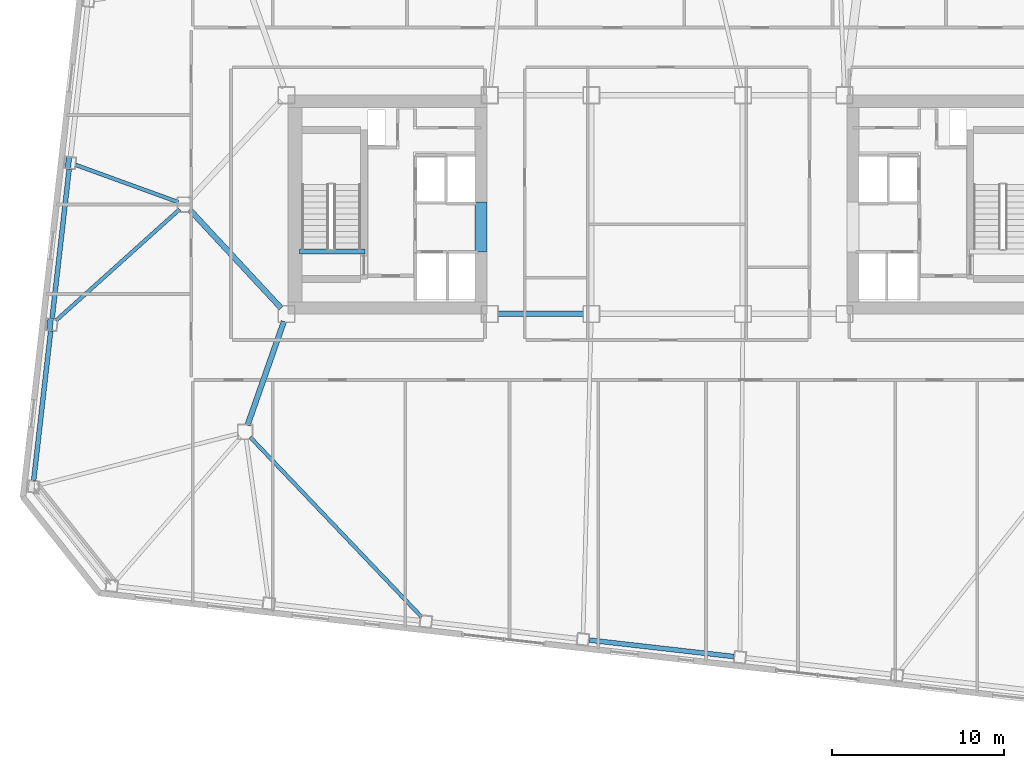
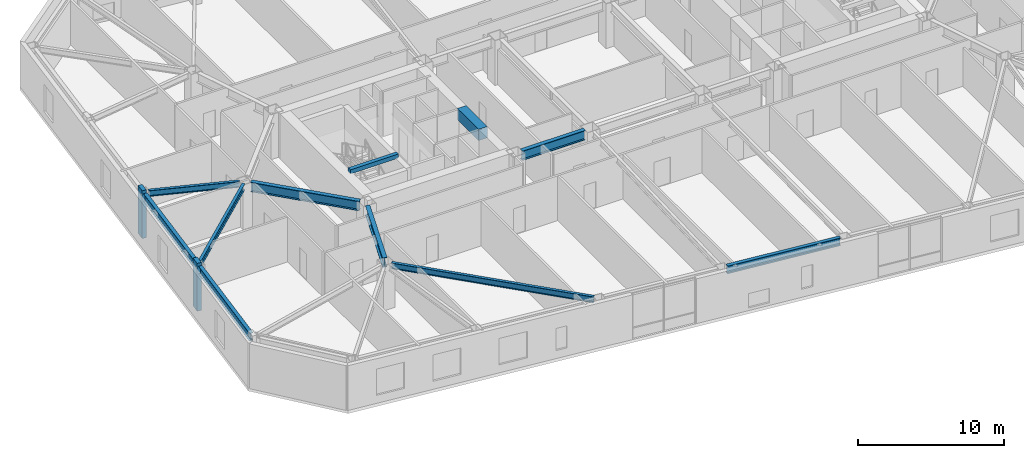
# One storey, part 5 of 22: 11 beams, 2 members.
"""IFC4 building model written with IfcOpenShell, lengths in metres."""

from ifc_helpers import new_model, si_unit, direction, frame, origin, origin_2d, place, context, subcontext, project, spatial, rectangle, i_section, extrude, material, material_profile, profile_set, type_object, element, save


model = new_model("IFC4")

# Units and contexts
model_context = context("Model", 3, precision=1e-05, world=origin(), true_north=direction((0.0, 1.0)))
body_context = subcontext(model_context, "Body", "Model", "MODEL_VIEW")
ifc_project = project(units=[si_unit("LENGTHUNIT", "METRE"), si_unit("AREAUNIT", "SQUARE_METRE"), si_unit("VOLUMEUNIT", "CUBIC_METRE"), si_unit("PLANEANGLEUNIT", "RADIAN"), si_unit("MASSUNIT", "GRAM", prefix="KILO")], contexts=[model_context])

# Site, building, storey
site_placement = place(None, origin())
site = spatial("IfcSite", under=ifc_project, at=site_placement, CompositionType="ELEMENT")
building_placement = place(site_placement, origin())
building = spatial("IfcBuilding", under=site, at=building_placement, Name="Tavrogorsk Clinical Tower", CompositionType="ELEMENT")
storey_placement = place(building_placement, frame((0.0, 0.0, 117.39990234375)))
storey = spatial("IfcBuildingStorey", under=building, at=storey_placement, Name="L26", CompositionType="ELEMENT", Elevation=117.39990234375)

# Beams
ifc_material_1 = material(Name="Concrete B80", Category="concrete")
ifc_material_profile_1 = material_profile(ifc_material_1, rectangle(XDim=0.699951171875, YDim=0.949951171875, at=origin_2d()), Name="RC-CB-700x950")
ifc_profile_set_1 = profile_set([ifc_material_profile_1], Name="Concrete B80")
beam_type_1 = type_object("IfcBeamType", Name="CouplingBeam_RC700x950", PredefinedType="LINTEL", material=ifc_profile_set_1)
beam_1_placement = place(storey_placement, frame((-10.800048828125, -2.75, 3.26513671875), z_axis=(0.0, 1.0, 0.0), x_axis=(-1.0, 0.0, 0.0)))
element("IfcBeam", 1, at=beam_1_placement, inside=storey, type_object=beam_type_1, Name="L26 Core West Coupling Beam", PredefinedType="LINTEL", context=body_context, shape_type="SweptSolid", body=[
    extrude(rectangle(XDim=0.699951171875, YDim=0.949951171875, at=origin_2d()), origin(), (0.0, 0.0, 1.0), 2.89990234375),
])
ifc_material_2 = material(Name="Structural steel S355", Category="steel")
ifc_material_profile_2 = material_profile(ifc_material_2, i_section(OverallWidth=0.219970703125, OverallDepth=0.5, WebThickness=0.012939453125, FlangeThickness=0.02001953125, at=origin_2d()), Name="B-500x220x13x20")
ifc_profile_set_2 = profile_set([ifc_material_profile_2], Name="Structural steel S355")
beam_type_2 = type_object("IfcBeamType", Name="FloorBeam_B500", PredefinedType="BEAM", material=ifc_profile_set_2)
beam_2_placement = place(storey_placement, frame((-24.217041015625, -13.496826171875, 3.489990234375), z_axis=(0.689995410805, -0.723813741972, 0.0), x_axis=(0.723813741972, 0.689995410805, 0.0)))
element("IfcBeam", 2, at=beam_2_placement, inside=storey, type_object=beam_type_2, Name="L26 Radial Floor Beam S3", PredefinedType="BEAM", context=body_context, shape_type="SweptSolid", body=[
    extrude(i_section(OverallWidth=0.219970703125, OverallDepth=0.5, WebThickness=0.012939453125, FlangeThickness=0.02001953125, at=origin_2d()), origin(), (0.0, 0.0, 1.0), 14.4384765625),
])
beam_3_placement = place(storey_placement, frame((-28.385498046875, 0.139892578125, 3.489990234375), z_axis=(-0.939993443432, 0.341192506225, 0.0), x_axis=(-0.341192506225, -0.939993443432, 0.0)))
element("IfcBeam", 3, at=beam_3_placement, inside=storey, type_object=beam_type_2, Name="L26 Radial Floor Beam W3", PredefinedType="BEAM", context=body_context, shape_type="SweptSolid", body=[
    extrude(i_section(OverallWidth=0.219970703125, OverallDepth=0.5, WebThickness=0.012939453125, FlangeThickness=0.02001953125, at=origin_2d()), origin(), (0.0, 0.0, 1.0), 6.33837890625),
])
beam_4_placement = place(storey_placement, frame((-28.3046875, -0.274169921875, 3.489990234375), z_axis=(-0.743369550828, -0.668880939257, 0.0), x_axis=(0.668880939257, -0.743369550828, 0.0)))
element("IfcBeam", 4, at=beam_4_placement, inside=storey, type_object=beam_type_2, Name="L26 Radial Floor Beam W4", PredefinedType="BEAM", context=body_context, shape_type="SweptSolid", body=[
    extrude(i_section(OverallWidth=0.219970703125, OverallDepth=0.5, WebThickness=0.012939453125, FlangeThickness=0.02001953125, at=origin_2d()), origin(), (0.0, 0.0, 1.0), 9.658935546875),
])

# Members
ifc_material_3 = material(Name="Precast concrete B45 with limestone cladding", Category="masonry")
ifc_material_profile_3 = material_profile(ifc_material_3, rectangle(XDim=0.320068359375, YDim=0.719970703125, at=origin_2d()), Name="LIMESTONE-FIN-320x720")
ifc_profile_set_3 = profile_set([ifc_material_profile_3], Name="Precast concrete B45 with limestone cladding")
member_type = type_object("IfcMemberType", Name="LimestonePleatFin_320x720", PredefinedType="USERDEFINED", material=ifc_profile_set_3)
for number, where, z_axis, x_axis, name in (
    (5, (-34.759521484375, 2.433837890625, 0.0), (0.0, 0.0, 1.0), (0.993571855677, -0.113203213768, 0.0), "L26 W Pleated Stone Fin 2"),
    (6, (-35.83056640625, -6.96533203125, 0.0), (0.0, 0.0, 1.0), (0.993571855677, -0.113203213768, 0.0), "L26 W Pleated Stone Fin 3"),
):
    element("IfcMember", number, at=place(storey_placement, frame(where, z_axis=z_axis, x_axis=x_axis)), inside=storey, type_object=member_type, Name=name, ObjectType="FIN", PredefinedType="USERDEFINED", context=body_context, shape_type="SweptSolid", body=[
        extrude(rectangle(XDim=0.320068359375, YDim=0.719970703125, at=origin_2d()), origin(), (0.0, 0.0, 1.0), 4.0),
    ])

# Beams
ifc_material_4 = material(Name="Structural steel S390", Category="steel")
ifc_material_profile_4 = material_profile(ifc_material_4, i_section(OverallWidth=0.320068359375, OverallDepth=0.800048828125, WebThickness=0.02001953125, FlangeThickness=0.033935546875, at=origin_2d()), Name="B-800x320x20x34")
ifc_profile_set_4 = profile_set([ifc_material_profile_4], Name="Structural steel S390")
beam_type_3 = type_object("IfcBeamType", Name="PrimaryGirder_B800", PredefinedType="USERDEFINED", material=ifc_profile_set_4)
beam_5_placement = place(storey_placement, frame((-9.840087890625, -6.35009765625, 3.340087890625), z_axis=(1.0, 0.0, 0.0), x_axis=(0.0, 1.0, 0.0)))
element("IfcBeam", 7, at=beam_5_placement, inside=storey, type_object=beam_type_3, Name="L26 Primary Spine Girder MG-01", ObjectType="GIRDER", PredefinedType="USERDEFINED", context=body_context, shape_type="SweptSolid", body=[
    extrude(i_section(OverallWidth=0.320068359375, OverallDepth=0.800048828125, WebThickness=0.02001953125, FlangeThickness=0.033935546875, at=origin_2d()), origin(), (0.0, 0.0, 1.0), 4.97998046875),
])
beam_6_placement = place(storey_placement, frame((-24.364501953125, -12.81298828125, 3.340087890625), z_axis=(0.330660234815, 0.943749865755, 0.0), x_axis=(-0.943749865755, 0.330660234815, 0.0)))
element("IfcBeam", 8, at=beam_6_placement, inside=storey, type_object=beam_type_3, Name="L26 Spine Link Girder OPG-1", ObjectType="GIRDER", PredefinedType="USERDEFINED", context=body_context, shape_type="SweptSolid", body=[
    extrude(i_section(OverallWidth=0.320068359375, OverallDepth=0.800048828125, WebThickness=0.02001953125, FlangeThickness=0.033935546875, at=origin_2d()), origin(), (0.0, 0.0, 1.0), 6.38818359375),
])
beam_7_placement = place(storey_placement, frame((-27.720947265625, -0.30029296875, 3.340087890625), z_axis=(0.680675630035, -0.732584934787, 0.0), x_axis=(0.732584934787, 0.680675630035, 0.0)))
element("IfcBeam", 9, at=beam_7_placement, inside=storey, type_object=beam_type_3, Name="L26 Spine Link Girder OPG-5", ObjectType="GIRDER", PredefinedType="USERDEFINED", context=body_context, shape_type="SweptSolid", body=[
    extrude(i_section(OverallWidth=0.320068359375, OverallDepth=0.800048828125, WebThickness=0.02001953125, FlangeThickness=0.033935546875, at=origin_2d()), origin(), (0.0, 0.0, 1.0), 7.7978515625),
])
ifc_material_5 = material(Name="Structural steel S390", Category="steel")
ifc_material_profile_5 = material_profile(ifc_material_5, i_section(OverallWidth=0.280029296875, OverallDepth=0.64990234375, WebThickness=0.01611328125, FlangeThickness=0.02490234375, at=origin_2d()), Name="B-650x280x16x25")
ifc_profile_set_5 = profile_set([ifc_material_profile_5], Name="Structural steel S390")
beam_type_4 = type_object("IfcBeamType", Name="SpandrelBeam_B650", PredefinedType="SPANDREL", material=ifc_profile_set_5)
beam_8_placement = place(storey_placement, frame((-4.533935546875, -25.2861328125, 3.4150390625), z_axis=(0.993572695356, -0.113195843756, 0.0), x_axis=(0.113195843756, 0.993572695356, 0.0)))
element("IfcBeam", 10, at=beam_8_placement, inside=storey, type_object=beam_type_4, Name="L26 Perimeter Spandrel S4-S5", PredefinedType="SPANDREL", context=body_context, shape_type="SweptSolid", body=[
    extrude(i_section(OverallWidth=0.280029296875, OverallDepth=0.64990234375, WebThickness=0.01611328125, FlangeThickness=0.02490234375, at=origin_2d()), origin(), (0.0, 0.0, 1.0), 8.461181640625),
])
for number, where, z_axis, x_axis, name in (
    (11, (-34.720703125, 2.069091796875, 3.4150390625), (-0.113192226434, -0.993573107464, 0.0), (0.993573107464, -0.113192226434, 0.0), "L26 Perimeter Spandrel W3-W4"),
    (12, (-35.79150390625, -7.330078125, 3.4150390625), (-0.113192226434, -0.993573107464, 0.0), (0.993573107464, -0.113192226434, 0.0), "L26 Perimeter Spandrel W4-W5"),
):
    element("IfcBeam", number, at=place(storey_placement, frame(where, z_axis=z_axis, x_axis=x_axis)), inside=storey, type_object=beam_type_4, Name=name, PredefinedType="SPANDREL", context=body_context, shape_type="SweptSolid", body=[
        extrude(i_section(OverallWidth=0.280029296875, OverallDepth=0.64990234375, WebThickness=0.01611328125, FlangeThickness=0.02490234375, at=origin_2d()), origin(), (0.0, 0.0, 1.0), 8.743896484375),
    ])
ifc_material_6 = material(Name="Concrete B60", Category="concrete")
ifc_material_profile_6 = material_profile(ifc_material_6, rectangle(XDim=0.300048828125, YDim=0.35009765625, at=origin_2d()), Name="RC-SHB-300x350")
ifc_profile_set_6 = profile_set([ifc_material_profile_6], Name="Concrete B60")
beam_type_5 = type_object("IfcBeamType", Name="StairHeaderBeam_RC300x350", PredefinedType="BEAM", material=ifc_profile_set_6)
beam_9_placement = place(storey_placement, frame((-21.35009765625, -2.719970703125, 3.8251953125), z_axis=(1.0, 0.0, 0.0), x_axis=(0.0, 1.0, 0.0)))
element("IfcBeam", 13, at=beam_9_placement, inside=storey, type_object=beam_type_5, Name="L27 ST-W Landing Header Beam", PredefinedType="BEAM", context=body_context, shape_type="SweptSolid", body=[
    extrude(rectangle(XDim=0.300048828125, YDim=0.35009765625, at=origin_2d()), origin(), (0.0, 0.0, 1.0), 3.800048828125),
])

save(model, "model.ifc")
